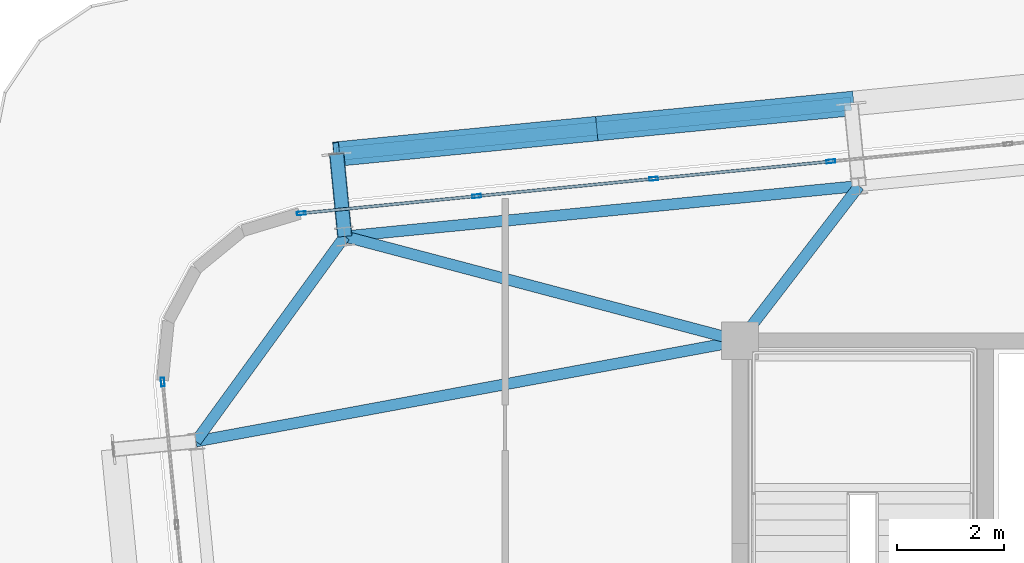
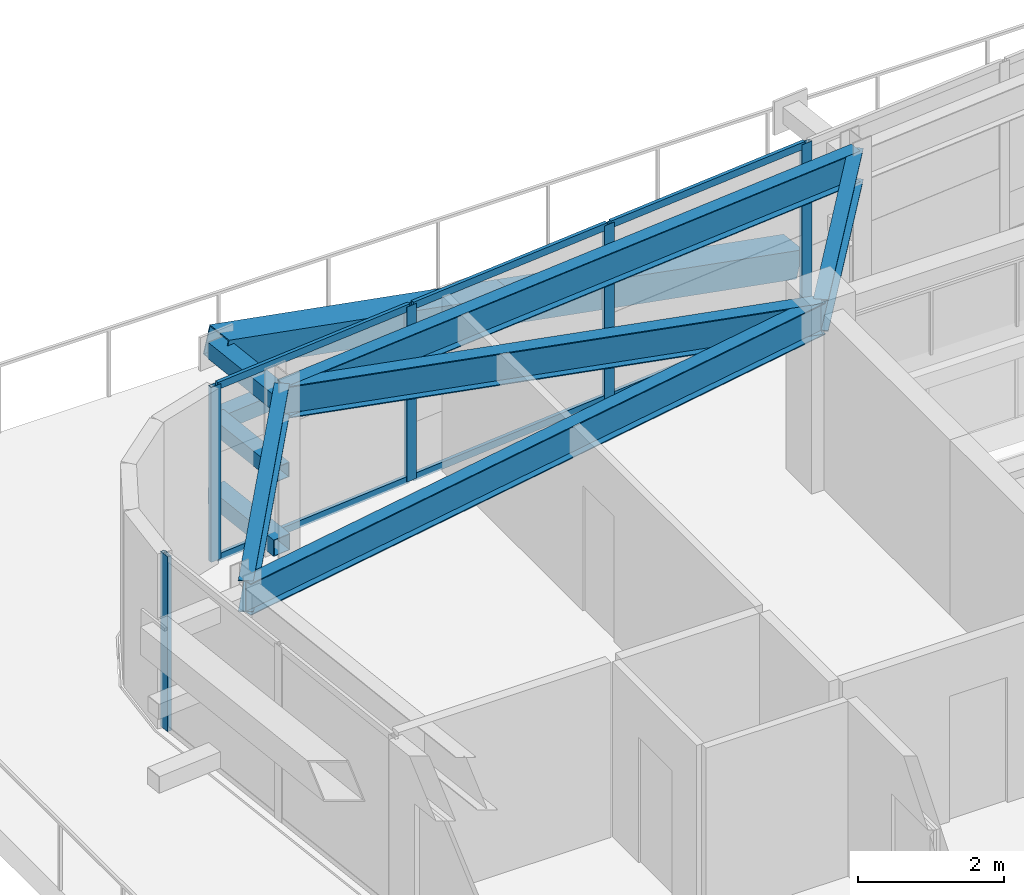
# One storey, part 27 of 51: 17 members, 5 beams, 2 elements without a shape of their own.
"""IFC4 building model written with IfcOpenShell, lengths in metres."""

from ifc_helpers import new_model, si_unit, direction, frame, origin, origin_2d, place, context, subcontext, project, spatial, hollow_rectangle, i_section, extrude, source, transform, mapped, material, layer, layer_set, material_profile, profile_set, type_object, element, aggregate, save


model = new_model("IFC4")

# Units and contexts
model_context = context("Model", 3, precision=1e-05, world=origin(), true_north=direction((0.0, 1.0)))
body_context = subcontext(model_context, "Body", "Model", "MODEL_VIEW")
ifc_project = project(units=[si_unit("LENGTHUNIT", "METRE"), si_unit("AREAUNIT", "SQUARE_METRE"), si_unit("VOLUMEUNIT", "CUBIC_METRE"), si_unit("PLANEANGLEUNIT", "RADIAN"), si_unit("MASSUNIT", "GRAM", prefix="KILO")], contexts=[model_context])

# Site, building, storey
site_placement = place(None, origin())
site = spatial("IfcSite", under=ifc_project, at=site_placement, CompositionType="ELEMENT")
building_placement = place(site_placement, origin())
building = spatial("IfcBuilding", under=site, at=building_placement, Name="Taldren Reach Tower", CompositionType="ELEMENT")
storey_placement = place(building_placement, frame((0.0, 0.0, 65.10009765625)))
storey = spatial("IfcBuildingStorey", under=building, at=storey_placement, Name="L19", CompositionType="ELEMENT", Elevation=65.10009765625)

# Beams
ifc_material_1 = material(Name="Steel Gr 350 (350PLUS)", Category="steel")
ifc_material_profile_1 = material_profile(ifc_material_1, i_section(OverallWidth=0.208984375, OverallDepth=0.528076171875, WebThickness=0.009521484375, FlangeThickness=0.01318359375, at=origin_2d()), Name="530UB82.0")
ifc_profile_set_1 = profile_set([ifc_material_profile_1], Name="Steel Gr 350 (350PLUS)")
beam_type_1 = type_object("IfcBeamType", Name="SP-UB530B", PredefinedType="SPANDREL", material=ifc_profile_set_1)
shared_shape_1 = source(origin(), body_context, "Body", "SweptSolid", [
    extrude(i_section(OverallWidth=0.208984375, OverallDepth=0.528076171875, WebThickness=0.009521484375, FlangeThickness=0.01318359375, at=origin_2d()), origin(), (0.0, 0.0, 1.0), 4.74609375),
])
beam_1_placement = place(storey_placement, frame((11.596923828125, 33.956787109375, 2.666015625), z_axis=(-0.587565912237, -0.809176308833, 0.0), x_axis=(0.809176308833, -0.587565912237, 0.0)))
element("IfcBeam", 1, at=beam_1_placement, inside=storey, type_object=beam_type_1, Name="Perimeter spandrel B2 N1-W3 L19", PredefinedType="SPANDREL", context=body_context, shape_type="MappedRepresentation", body=[
    mapped(shared_shape_1, transform((0.0, 0.0, 0.0), scale=1.0)),
])
shared_shape_2 = source(origin(), body_context, "Body", "SweptSolid", [
    extrude(i_section(OverallWidth=0.208984375, OverallDepth=0.528076171875, WebThickness=0.009521484375, FlangeThickness=0.01318359375, at=origin_2d()), origin(), (0.0, 0.0, 1.0), 9.679931640625),
])
beam_2_placement = place(storey_placement, frame((21.230712890625, 34.9013671875, 2.666015625), z_axis=(-0.995227612658, -0.097580730699, 0.0), x_axis=(0.097580730699, -0.995227612658, 0.0)))
element("IfcBeam", 2, at=beam_2_placement, inside=storey, type_object=beam_type_1, Name="Perimeter spandrel B2 N2-N1 L19", PredefinedType="SPANDREL", context=body_context, shape_type="MappedRepresentation", body=[
    mapped(shared_shape_2, transform((0.0, 0.0, 0.0), scale=1.0)),
])
ifc_material_profile_2 = material_profile(ifc_material_1, i_section(OverallWidth=0.208984375, OverallDepth=0.532958984375, WebThickness=0.01025390625, FlangeThickness=0.015625, at=origin_2d()), Name="530UB92.4")
ifc_profile_set_2 = profile_set([ifc_material_profile_2], Name="Steel Gr 350 (350PLUS)")
beam_type_2 = type_object("IfcBeamType", Name="BM-UB530A", PredefinedType="BEAM", material=ifc_profile_set_2)
shared_shape_3 = source(origin(), body_context, "Body", "SweptSolid", [
    extrude(i_section(OverallWidth=0.208984375, OverallDepth=0.532958984375, WebThickness=0.01025390625, FlangeThickness=0.015625, at=origin_2d()), origin(), (0.0, 0.0, 1.0), 3.65966796875),
])
beam_3_placement = place(storey_placement, frame((19.0, 32.0, 2.663330078125), z_axis=(0.609520535722, 0.792770279799, 0.0), x_axis=(-0.792770279799, 0.609520535722, 0.0)))
element("IfcBeam", 3, at=beam_3_placement, inside=storey, type_object=beam_type_2, Name="Primary floor girder B2-N2 L19", PredefinedType="BEAM", context=body_context, shape_type="MappedRepresentation", body=[
    mapped(shared_shape_3, transform((0.0, 0.0, 0.0), scale=1.0)),
])
shared_shape_4 = source(origin(), body_context, "Body", "SweptSolid", [
    extrude(i_section(OverallWidth=0.208984375, OverallDepth=0.532958984375, WebThickness=0.01025390625, FlangeThickness=0.015625, at=origin_2d()), origin(), (0.0, 0.0, 1.0), 7.6572265625),
])
beam_4_placement = place(storey_placement, frame((19.0, 32.0, 2.663330078125), z_axis=(-0.966797258245, 0.255544636904, 0.0), x_axis=(-0.255544636904, -0.966797258245, 0.0)))
element("IfcBeam", 4, at=beam_4_placement, inside=storey, type_object=beam_type_2, Name="Primary floor girder B2-N1 L19", PredefinedType="BEAM", context=body_context, shape_type="MappedRepresentation", body=[
    mapped(shared_shape_4, transform((0.0, 0.0, 0.0), scale=1.0)),
])
shared_shape_5 = source(origin(), body_context, "Body", "SweptSolid", [
    extrude(i_section(OverallWidth=0.208984375, OverallDepth=0.532958984375, WebThickness=0.01025390625, FlangeThickness=0.015625, at=origin_2d()), origin(), (0.0, 0.0, 1.0), 10.3642578125),
])
beam_5_placement = place(storey_placement, frame((19.0, 32.0, 2.663330078125), z_axis=(-0.983347548213, -0.181734970283, 0.0), x_axis=(0.181734970283, -0.983347548213, 0.0)))
element("IfcBeam", 5, at=beam_5_placement, inside=storey, type_object=beam_type_2, Name="Primary floor girder B2-W3 L19", PredefinedType="BEAM", context=body_context, shape_type="MappedRepresentation", body=[
    mapped(shared_shape_5, transform((0.0, 0.0, 0.0), scale=1.0)),
])

# Members
ifc_material_2 = material(Name="Steel Gr 450 (C450L0)", Category="steel")
ifc_material_profile_3 = material_profile(ifc_material_2, hollow_rectangle(XDim=0.27490234375, YDim=0.27490234375, WallThickness=0.00927734375, at=origin_2d()), Name="275x275x9.3SHS")
ifc_profile_set_3 = profile_set([ifc_material_profile_3], Name="Steel Gr 450 (C450L0)")
member_type_1 = type_object("IfcMemberType", Name="MB-TIE273", PredefinedType="STRUT", material=ifc_profile_set_3)
shared_shape_6 = source(origin(), body_context, "Body", "SweptSolid", [
    extrude(hollow_rectangle(XDim=0.27490234375, YDim=0.27490234375, WallThickness=0.00927734375, at=origin_2d()), origin(), (0.0, 0.0, 1.0), 1.550048828125),
])
for number, where, z_axis, x_axis, name in (
    (6, (11.596923828125, 33.956787109375, 2.64990234375), (-0.097647892962, 0.9952210252, 0.0), (-0.9952210252, -0.097647892962, 0.0), "Exoskeleton diaphragm tie strut B2-N1 L19"),
    (7, (11.596923828125, 33.956787109375, 0.219970703125), (-0.097647892962, 0.9952210252, 0.0), (-0.9952210252, -0.097647892962, 0.0), "Exoskeleton base diaphragm tie strut B2-N1 L19"),
):
    element("IfcMember", number, at=place(storey_placement, frame(where, z_axis=z_axis, x_axis=x_axis)), inside=storey, type_object=member_type_1, Name=name, PredefinedType="STRUT", context=body_context, shape_type="MappedRepresentation", body=[
        mapped(shared_shape_6, transform((0.0, 0.0, 0.0), scale=1.0)),
    ])
ifc_material_profile_4 = material_profile(ifc_material_2, hollow_rectangle(XDim=0.4599609375, YDim=0.4599609375, WallThickness=0.01611328125, at=origin_2d()), Name="460x460x16.0SHS")
ifc_profile_set_4 = profile_set([ifc_material_profile_4], Name="Steel Gr 450 (C450L0)")
member_type_2 = type_object("IfcMemberType", Name="MB-EXO457", PredefinedType="BRACE", material=ifc_profile_set_4)
shared_shape_7 = source(origin(), body_context, "Body", "SweptSolid", [
    extrude(hollow_rectangle(XDim=0.4599609375, YDim=0.4599609375, WallThickness=0.01611328125, at=origin_2d()), origin(), (0.0, 0.0, 1.0), 4.990234375),
])
for number, where, z_axis, x_axis, name in (
    (8, (21.079345703125, 36.444091796875, 0.219970703125), (-0.965282554799, -0.094669120301, 0.243448859234), (0.097605711627, -0.995225162995, 0.0), "Exoskeleton Diagrid Brace B2-N1 L19"),
    (9, (16.262451171875, 35.9716796875, 1.434814453125), (-0.965275526283, -0.094619506732, 0.243496010862), (0.097555749586, -0.995230061706, 0.0), "Exoskeleton Diagrid Brace B2-N1 L19"),
):
    element("IfcMember", number, at=place(storey_placement, frame(where, z_axis=z_axis, x_axis=x_axis)), inside=storey, type_object=member_type_2, Name=name, PredefinedType="BRACE", context=body_context, shape_type="MappedRepresentation", body=[
        mapped(shared_shape_7, transform((0.0, 0.0, 0.0), scale=1.0)),
    ])
ifc_material_3 = material(Name="Steel Gr 350 (C350L0)", Category="steel")
ifc_material_profile_5 = material_profile(ifc_material_3, hollow_rectangle(XDim=0.25, YDim=0.25, WallThickness=0.010009765625, at=origin_2d()), Name="250x250x10.0SHS")
ifc_profile_set_5 = profile_set([ifc_material_profile_5], Name="Steel Gr 350 (C350L0)")
member_type_3 = type_object("IfcMemberType", Name="MB-POST250", PredefinedType="POST", material=ifc_profile_set_5)
shared_shape_8 = source(origin(), body_context, "Body", "SweptSolid", [
    extrude(hollow_rectangle(XDim=0.25, YDim=0.25, WallThickness=0.010009765625, at=origin_2d()), origin(), (0.0, 0.0, 1.0), 9.679931640625),
])
member_1_placement = place(storey_placement, frame((11.445556640625, 35.49951171875, 1.434814453125), z_axis=(0.995227612658, 0.097580730699, 0.0), x_axis=(-0.097580730699, 0.995227612658, 0.0)))
element("IfcMember", 10, at=member_1_placement, inside=storey, type_object=member_type_3, Name="Exoskeleton mid-height ring chord B2-N1 L19", PredefinedType="POST", context=body_context, shape_type="MappedRepresentation", body=[
    mapped(shared_shape_8, transform((0.0, 0.0, 0.0), scale=1.0)),
])
shared_shape_9 = source(origin(), body_context, "Body", "SweptSolid", [
    extrude(hollow_rectangle(XDim=0.25, YDim=0.25, WallThickness=0.010009765625, at=origin_2d()), origin(), (0.0, 0.0, 1.0), 1.550048828125),
])
member_2_placement = place(storey_placement, frame((11.596923828125, 33.956787109375, 1.434814453125), z_axis=(-0.097647892962, 0.9952210252, 0.0), x_axis=(-0.9952210252, -0.097647892962, 0.0)))
element("IfcMember", 11, at=member_2_placement, inside=storey, type_object=member_type_3, Name="Exoskeleton mid-tier diaphragm tie B2-N1 L19", PredefinedType="POST", context=body_context, shape_type="MappedRepresentation", body=[
    mapped(shared_shape_9, transform((0.0, 0.0, 0.0), scale=1.0)),
])

# Curtain wall, members
ifc_material_4 = material(Name="Aluminium and Low-E Glass Unitised System", Category="aluminium")
ifc_layer = layer(ifc_material_4, 0.159912109375)
ifc_layer_set = layer_set([ifc_layer], Name="Aluminium and Low-E Glass Unitised System")
curtain_wall_type = type_object("IfcCurtainWallType", Name="CW-SYS-3", PredefinedType="NOTDEFINED", material=ifc_layer_set)
curtain_wall_1_placement = place(storey_placement, origin())
curtain_wall_1 = element("IfcCurtainWall", 12, at=curtain_wall_1_placement, inside=storey, type_object=curtain_wall_type, Name="Unitised curtain wall CW-L19-N", PredefinedType="NOTDEFINED")
ifc_material_5 = material(Name="Anodised Aluminium 6063-T6", Category="aluminium")
ifc_material_profile_6 = material_profile(ifc_material_5, hollow_rectangle(XDim=0.06494140625, YDim=0.1650390625, WallThickness=0.00390625, at=origin_2d()), Name="ALU-165x65x4RHS")
ifc_profile_set_6 = profile_set([ifc_material_profile_6], Name="Anodised Aluminium 6063-T6")
member_type_4 = type_object("IfcMemberType", Name="CW-MUL-165", PredefinedType="MULLION", material=ifc_profile_set_6)
shared_shape_10 = source(origin(), body_context, "Body", "SweptSolid", [
    extrude(hollow_rectangle(XDim=0.06494140625, YDim=0.1650390625, WallThickness=0.00390625, at=origin_2d()), origin(), (0.0, 0.0, 1.0), 2.929931640625),
])
member_3_placement = place(storey_placement, frame((20.703125, 35.3623046875, 0.0), z_axis=(0.0, 0.0, 1.0), x_axis=(0.097582999046, -0.995227390247, 0.0)))
member_3 = element("IfcMember", 13, at=member_3_placement, type_object=member_type_4, Name="CW-3 mullion 13", PredefinedType="MULLION", context=body_context, shape_type="MappedRepresentation", body=[
    mapped(shared_shape_10, transform((0.0, 0.0, 0.0), scale=1.0)),
])
member_4_placement = place(storey_placement, frame((17.3857421875, 35.036865234375, 0.0), z_axis=(0.0, 0.0, 1.0), x_axis=(0.097582999046, -0.995227390247, 0.0)))
member_4 = element("IfcMember", 14, at=member_4_placement, type_object=member_type_4, Name="CW-3 mullion 14", PredefinedType="MULLION", context=body_context, shape_type="MappedRepresentation", body=[
    mapped(shared_shape_10, transform((0.0, 0.0, 0.0), scale=1.0)),
])
member_5_placement = place(storey_placement, frame((14.068359375, 34.711669921875, 0.0), z_axis=(0.0, 0.0, 1.0), x_axis=(0.097582999046, -0.995227390247, 0.0)))
member_5 = element("IfcMember", 15, at=member_5_placement, type_object=member_type_4, Name="CW-3 mullion 15", PredefinedType="MULLION", context=body_context, shape_type="MappedRepresentation", body=[
    mapped(shared_shape_10, transform((0.0, 0.0, 0.0), scale=1.0)),
])
member_6_placement = place(storey_placement, frame((10.783203125, 34.3896484375, 0.0), z_axis=(0.0, 0.0, 1.0), x_axis=(0.097582999046, -0.995227390247, 0.0)))
member_6 = element("IfcMember", 16, at=member_6_placement, type_object=member_type_4, Name="CW-3 mullion 16", PredefinedType="MULLION", context=body_context, shape_type="MappedRepresentation", body=[
    mapped(shared_shape_10, transform((0.0, 0.0, 0.0), scale=1.0)),
])

# Curtain wall, member
curtain_wall_2_placement = place(storey_placement, origin())
curtain_wall_2 = element("IfcCurtainWall", 17, at=curtain_wall_2_placement, inside=storey, type_object=curtain_wall_type, Name="Unitised curtain wall CW-L19-W1", PredefinedType="NOTDEFINED")
member_7_placement = place(storey_placement, frame((8.186767578125, 31.228515625, 0.0), z_axis=(0.0, 0.0, 1.0), x_axis=(0.995227453053, 0.097582358493, 0.0)))
member_7 = element("IfcMember", 18, at=member_7_placement, type_object=member_type_4, Name="CW-3 mullion 1", PredefinedType="MULLION", context=body_context, shape_type="MappedRepresentation", body=[
    mapped(shared_shape_10, transform((0.0, 0.0, 0.0), scale=1.0)),
])
aggregate(curtain_wall_2, [member_7])

# Member
ifc_material_profile_7 = material_profile(ifc_material_5, hollow_rectangle(XDim=0.054931640625, YDim=0.1201171875, WallThickness=0.0029296875, at=origin_2d()), Name="ALU-120x55x3RHS")
ifc_profile_set_7 = profile_set([ifc_material_profile_7], Name="Anodised Aluminium 6063-T6")
member_type_5 = type_object("IfcMemberType", Name="CW-TRN-135", PredefinedType="USERDEFINED", material=ifc_profile_set_7)
shared_shape_11 = source(origin(), body_context, "Body", "SweptSolid", [
    extrude(hollow_rectangle(XDim=0.054931640625, YDim=0.1201171875, WallThickness=0.0029296875, at=origin_2d()), origin(), (0.0, 0.0, 1.0), 3.268310546875),
])
member_8_placement = place(storey_placement, frame((17.353271484375, 35.03369140625, 0.02734375), z_axis=(-0.99522980512, -0.097558367146, 0.0), x_axis=(0.097558367146, -0.99522980512, 0.0)))
member_8 = element("IfcMember", 19, at=member_8_placement, type_object=member_type_5, Name="CW-3 transom 14.1", ObjectType="TRANSOM", PredefinedType="USERDEFINED", context=body_context, shape_type="MappedRepresentation", body=[
    mapped(shared_shape_11, transform((0.0, 0.0, 0.0), scale=1.0)),
])

member_9_placement = place(storey_placement, frame((17.353271484375, 35.03369140625, 2.90234375), z_axis=(-0.99522980512, -0.097558367146, 0.0), x_axis=(0.097558367146, -0.99522980512, 0.0)))
member_9 = element("IfcMember", 20, at=member_9_placement, type_object=member_type_5, Name="CW-3 transom 14.2", ObjectType="TRANSOM", PredefinedType="USERDEFINED", context=body_context, shape_type="MappedRepresentation", body=[
    mapped(shared_shape_11, transform((0.0, 0.0, 0.0), scale=1.0)),
])

shared_shape_12 = source(origin(), body_context, "Body", "SweptSolid", [
    extrude(hollow_rectangle(XDim=0.054931640625, YDim=0.1201171875, WallThickness=0.0029296875, at=origin_2d()), origin(), (0.0, 0.0, 1.0), 3.2685546875),
])
member_10_placement = place(storey_placement, frame((20.6708984375, 35.359130859375, 0.02734375), z_axis=(-0.995223261527, -0.09762509778, 0.0), x_axis=(0.09762509778, -0.995223261527, 0.0)))
member_10 = element("IfcMember", 21, at=member_10_placement, type_object=member_type_5, Name="CW-3 transom 13.1", ObjectType="TRANSOM", PredefinedType="USERDEFINED", context=body_context, shape_type="MappedRepresentation", body=[
    mapped(shared_shape_12, transform((0.0, 0.0, 0.0), scale=1.0)),
])

member_11_placement = place(storey_placement, frame((20.6708984375, 35.359130859375, 2.90234375), z_axis=(-0.995223261527, -0.09762509778, 0.0), x_axis=(0.09762509778, -0.995223261527, 0.0)))
member_11 = element("IfcMember", 22, at=member_11_placement, type_object=member_type_5, Name="CW-3 transom 13.2", ObjectType="TRANSOM", PredefinedType="USERDEFINED", context=body_context, shape_type="MappedRepresentation", body=[
    mapped(shared_shape_12, transform((0.0, 0.0, 0.0), scale=1.0)),
])

shared_shape_13 = source(origin(), body_context, "Body", "SweptSolid", [
    extrude(hollow_rectangle(XDim=0.054931640625, YDim=0.1201171875, WallThickness=0.0029296875, at=origin_2d()), origin(), (0.0, 0.0, 1.0), 3.235595703125),
])
member_12_placement = place(storey_placement, frame((14.035888671875, 34.70849609375, 0.02734375), z_axis=(-0.995229530729, -0.09756116628, 0.0), x_axis=(0.09756116628, -0.995229530729, 0.0)))
member_12 = element("IfcMember", 23, at=member_12_placement, type_object=member_type_5, Name="CW-3 transom 15.1", ObjectType="TRANSOM", PredefinedType="USERDEFINED", context=body_context, shape_type="MappedRepresentation", body=[
    mapped(shared_shape_13, transform((0.0, 0.0, 0.0), scale=1.0)),
])

member_13_placement = place(storey_placement, frame((14.035888671875, 34.70849609375, 2.90234375), z_axis=(-0.995229530729, -0.09756116628, 0.0), x_axis=(0.09756116628, -0.995229530729, 0.0)))
member_13 = element("IfcMember", 24, at=member_13_placement, type_object=member_type_5, Name="CW-3 transom 15.2", ObjectType="TRANSOM", PredefinedType="USERDEFINED", context=body_context, shape_type="MappedRepresentation", body=[
    mapped(shared_shape_13, transform((0.0, 0.0, 0.0), scale=1.0)),
])

aggregate(curtain_wall_1, [member_3, member_4, member_5, member_6, member_10, member_11, member_8, member_9, member_12, member_13])

save(model, "model.ifc")
